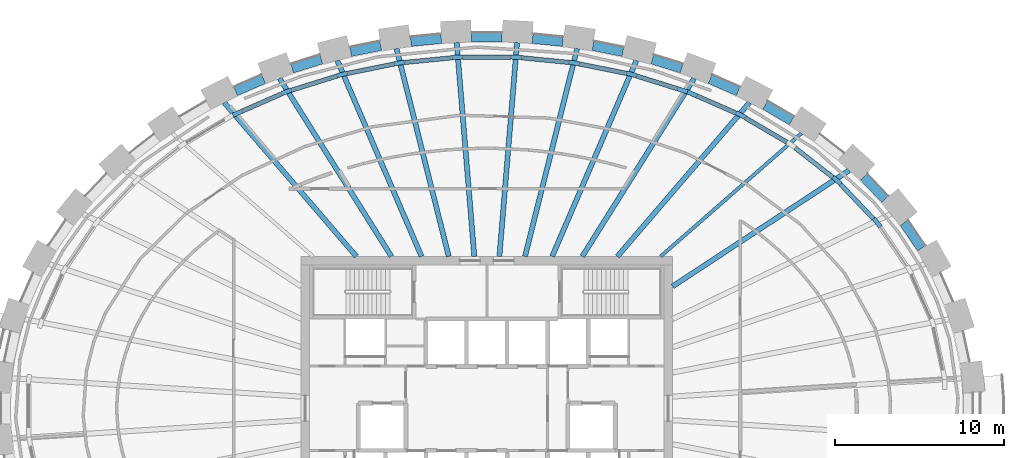
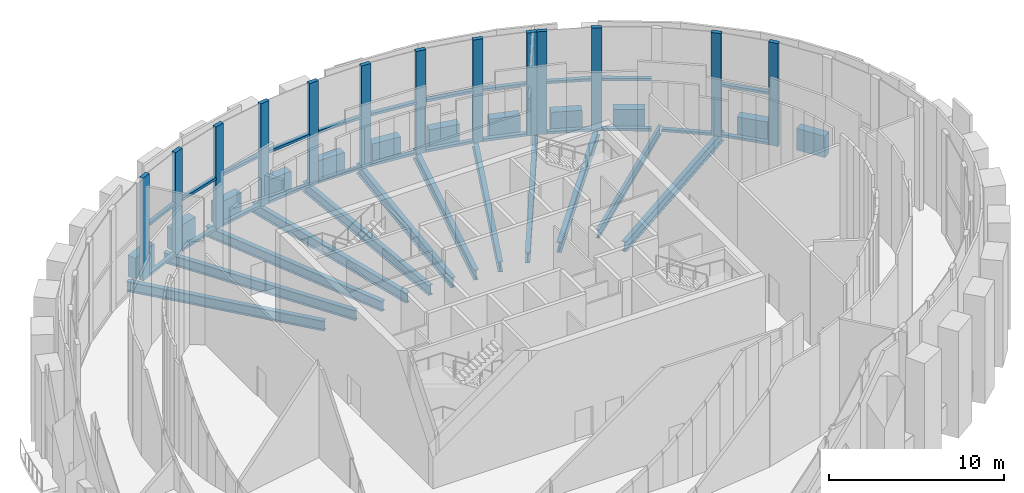
# One storey, part 4 of 16: 36 members, 24 beams, 2 elements without a shape of their own.
"""IFC4 building model written with IfcOpenShell, lengths in metres."""

from ifc_helpers import new_model, si_unit, direction, frame, origin, origin_2d, place, context, subcontext, project, spatial, rectangle, i_section, extrude, source, transform, mapped, material, material_profile, profile_set, type_object, element, aggregate, save


model = new_model("IFC4")

# Units and contexts
model_context = context("Model", 3, precision=1e-05, world=origin(), true_north=direction((0.0, 1.0)))
body_context = subcontext(model_context, "Body", "Model", "MODEL_VIEW")
ifc_project = project(units=[si_unit("LENGTHUNIT", "METRE"), si_unit("AREAUNIT", "SQUARE_METRE"), si_unit("VOLUMEUNIT", "CUBIC_METRE"), si_unit("PLANEANGLEUNIT", "RADIAN"), si_unit("MASSUNIT", "GRAM", prefix="KILO")], contexts=[model_context])

# Site, building, storey
site_placement = place(None, origin())
site = spatial("IfcSite", under=ifc_project, at=site_placement, CompositionType="ELEMENT")
building_placement = place(site_placement, origin())
building = spatial("IfcBuilding", under=site, at=building_placement, Name="Embergate Tower", CompositionType="ELEMENT")
storey_placement = place(building_placement, frame((0.0, 0.0, 332.5)))
storey = spatial("IfcBuildingStorey", under=building, at=storey_placement, Name="L78", CompositionType="ELEMENT", Elevation=332.5)

# Beams
ifc_material_1 = material(Name="Concrete C50", Category="concrete")
ifc_material_profile_1 = material_profile(ifc_material_1, rectangle(XDim=0.550048828125, YDim=1.5, at=origin_2d()), Name="RC 550x1500")
ifc_profile_set_1 = profile_set([ifc_material_profile_1], Name="Concrete C50")
beam_type_1 = type_object("IfcBeamType", Name="Spandrel beam RC 550x1500 C50", PredefinedType="BEAM", material=ifc_profile_set_1)
shared_shape_1 = source(origin(), body_context, "Body", "SweptSolid", [
    extrude(rectangle(XDim=0.550048828125, YDim=1.5, at=origin_2d()), origin(), (0.0, 0.0, 1.0), 1.8291015625),
])
beam_1_placement = place(storey_placement, frame((25.72998046875, 9.470947265625, 0.0), z_axis=(-0.562039839894, 0.827110160965, 0.0), x_axis=(-0.827110160965, -0.562039839894, 0.0)))
element("IfcBeam", 1, at=beam_1_placement, inside=storey, type_object=beam_type_1, Name="SPN-L78-02", PredefinedType="BEAM", context=body_context, shape_type="MappedRepresentation", body=[
    mapped(shared_shape_1, transform((0.0, 0.0, 0.0))),
])
shared_shape_2 = source(origin(), body_context, "Body", "SweptSolid", [
    extrude(rectangle(XDim=0.550048828125, YDim=1.5, at=origin_2d()), origin(), (0.0, 0.0, 1.0), 1.82421875),
])
beam_2_placement = place(storey_placement, frame((23.571044921875, 12.384033203125, 0.0), z_axis=(-0.690179663499, 0.723638053237, 0.0), x_axis=(-0.723638053237, -0.690179663499, 0.0)))
element("IfcBeam", 2, at=beam_2_placement, inside=storey, type_object=beam_type_1, Name="SPN-L78-03", PredefinedType="BEAM", context=body_context, shape_type="MappedRepresentation", body=[
    mapped(shared_shape_2, transform((0.0, 0.0, 0.0))),
])
shared_shape_3 = source(origin(), body_context, "Body", "SweptSolid", [
    extrude(rectangle(XDim=0.550048828125, YDim=1.5, at=origin_2d()), origin(), (0.0, 0.0, 1.0), 1.814453125),
])
beam_3_placement = place(storey_placement, frame((18.0419921875, 17.029052734375, 0.0), z_axis=(-0.861948050646, 0.5069966055, 0.0), x_axis=(-0.5069966055, -0.861948050646, 0.0)))
element("IfcBeam", 3, at=beam_3_placement, inside=storey, type_object=beam_type_1, Name="SPN-L78-05", PredefinedType="BEAM", context=body_context, shape_type="MappedRepresentation", body=[
    mapped(shared_shape_3, transform((0.0, 0.0, 0.0))),
])
shared_shape_4 = source(origin(), body_context, "Body", "SweptSolid", [
    extrude(rectangle(XDim=0.550048828125, YDim=1.5, at=origin_2d()), origin(), (0.0, 0.0, 1.0), 1.8125),
])
for number, where, z_axis, x_axis, name in (
    (4, (14.875, 18.76708984375, 0.0), (-0.916321098871, 0.400444307944, 0.0), (-0.400444307944, -0.916321098871, 0.0), "SPN-L78-06"),
    (5, (-13.214111328125, 19.492919921875, 0.0), (-0.916321098871, -0.400444307944, 0.0), (0.400444307944, -0.916321098871, 0.0), "SPN-L78-14"),
):
    element("IfcBeam", number, at=place(storey_placement, frame(where, z_axis=z_axis, x_axis=x_axis)), inside=storey, type_object=beam_type_1, Name=name, PredefinedType="BEAM", context=body_context, shape_type="MappedRepresentation", body=[
        mapped(shared_shape_4, transform((0.0, 0.0, 0.0))),
    ])
shared_shape_5 = source(origin(), body_context, "Body", "SweptSolid", [
    extrude(rectangle(XDim=0.550048828125, YDim=1.5, at=origin_2d()), origin(), (0.0, 0.0, 1.0), 1.810791015625),
])
for number, where, z_axis, x_axis, name in (
    (6, (11.528076171875, 20.1220703125, 0.0), (-0.954867824345, 0.297031038835, 0.0), (-0.297031038835, -0.954867824345, 0.0), "SPN-L78-07"),
    (7, (-9.799072265625, 20.659912109375, 0.0), (-0.954867824345, -0.297031038835, 0.0), (0.297031038835, -0.954867824345, 0.0), "SPN-L78-13"),
):
    element("IfcBeam", number, at=place(storey_placement, frame(where, z_axis=z_axis, x_axis=x_axis)), inside=storey, type_object=beam_type_1, Name=name, PredefinedType="BEAM", context=body_context, shape_type="MappedRepresentation", body=[
        mapped(shared_shape_5, transform((0.0, 0.0, 0.0))),
    ])
shared_shape_6 = source(origin(), body_context, "Body", "SweptSolid", [
    extrude(rectangle(XDim=0.550048828125, YDim=1.5, at=origin_2d()), origin(), (0.0, 0.0, 1.0), 1.809326171875),
])
for number, where, z_axis, x_axis, name in (
    (8, (8.054931640625, 21.10498046875, 0.0), (-0.980455920219, 0.196738884074, 0.0), (-0.196738884074, -0.980455920219, 0.0), "SPN-L78-08"),
    (9, (-6.281005859375, 21.4609375, 0.0), (-0.980455920219, -0.196738884074, 0.0), (0.196738884074, -0.980455920219, 0.0), "SPN-L78-12"),
):
    element("IfcBeam", number, at=place(storey_placement, frame(where, z_axis=z_axis, x_axis=x_axis)), inside=storey, type_object=beam_type_1, Name=name, PredefinedType="BEAM", context=body_context, shape_type="MappedRepresentation", body=[
        mapped(shared_shape_6, transform((0.0, 0.0, 0.0))),
    ])
shared_shape_7 = source(origin(), body_context, "Body", "SweptSolid", [
    extrude(rectangle(XDim=0.550048828125, YDim=1.5, at=origin_2d()), origin(), (0.0, 0.0, 1.0), 1.806884765625),
])
for number, where, z_axis, x_axis, name in (
    (10, (4.498046875, 21.7060546875, 0.0), (-0.995189855055, 0.097965057015, 0.0), (-0.097965057015, -0.995189855055, 0.0), "SPN-L78-09"),
    (11, (-2.699951171875, 21.883056640625, 0.0), (-0.995189855055, -0.097965057015, 0.0), (0.097965057015, -0.995189855055, 0.0), "SPN-L78-11"),
):
    element("IfcBeam", number, at=place(storey_placement, frame(where, z_axis=z_axis, x_axis=x_axis)), inside=storey, type_object=beam_type_1, Name=name, PredefinedType="BEAM", context=body_context, shape_type="MappedRepresentation", body=[
        mapped(shared_shape_7, transform((0.0, 0.0, 0.0))),
    ])
shared_shape_8 = source(origin(), body_context, "Body", "SweptSolid", [
    extrude(rectangle(XDim=0.550048828125, YDim=1.5, at=origin_2d()), origin(), (0.0, 0.0, 1.0), 1.80615234375),
])
beam_4_placement = place(storey_placement, frame((0.903076171875, 21.971923828125, 0.0), z_axis=(-1.0, 0.0, 0.0), x_axis=(0.0, -1.0, 0.0)))
element("IfcBeam", 12, at=beam_4_placement, inside=storey, type_object=beam_type_1, Name="SPN-L78-10", PredefinedType="BEAM", context=body_context, shape_type="MappedRepresentation", body=[
    mapped(shared_shape_8, transform((0.0, 0.0, 0.0))),
])
ifc_material_2 = material(Name="Steel Q355B", Category="steel")
ifc_material_profile_2 = material_profile(ifc_material_2, i_section(OverallWidth=0.300048828125, OverallDepth=0.699951171875, WebThickness=0.012939453125, FlangeThickness=0.02392578125, FilletRadius=0.01806640625, at=origin_2d()), Name="HN 700x300x13x24")
ifc_profile_set_2 = profile_set([ifc_material_profile_2], Name="Steel Q355 grade B")
beam_type_2 = type_object("IfcBeamType", Name="Radial girder HN 700x300x13x24", PredefinedType="BEAM", material=ifc_profile_set_2)
shared_shape_9 = source(origin(), body_context, "Body", "SweptSolid", [
    extrude(i_section(OverallWidth=0.300048828125, OverallDepth=0.699951171875, WebThickness=0.012939453125, FlangeThickness=0.02392578125, FilletRadius=0.01806640625, at=origin_2d()), origin(), (0.0, 0.0, 1.0), 12.504638671875),
])
beam_5_placement = place(storey_placement, frame((21.450927734375, 14.093017578125, -0.60009765625), z_axis=(-0.835771014397, -0.549078146983, 0.0), x_axis=(0.549078146983, -0.835771014397, 0.0)))
element("IfcBeam", 13, at=beam_5_placement, inside=storey, type_object=beam_type_2, Name="GIR-L78-04", PredefinedType="BEAM", context=body_context, shape_type="MappedRepresentation", body=[
    mapped(shared_shape_9, transform((0.0, 0.0, 0.0))),
])
ifc_material_profile_3 = material_profile(ifc_material_2, i_section(OverallWidth=0.199951171875, OverallDepth=0.60009765625, WebThickness=0.010986328125, FlangeThickness=0.01708984375, FilletRadius=0.012939453125, at=origin_2d()), Name="HN 600x200x11x17")
ifc_profile_set_3 = profile_set([ifc_material_profile_3], Name="Steel Q355 grade B")
beam_type_3 = type_object("IfcBeamType", Name="Radial girder HN 600x200x11x17", PredefinedType="BEAM", material=ifc_profile_set_3)
shared_shape_10 = source(origin(), body_context, "Body", "SweptSolid", [
    extrude(i_section(OverallWidth=0.199951171875, OverallDepth=0.60009765625, WebThickness=0.010986328125, FlangeThickness=0.01708984375, FilletRadius=0.012939453125, at=origin_2d()), origin(), (0.0, 0.0, 1.0), 11.080322265625),
])
beam_6_placement = place(storey_placement, frame((18.632080078125, 16.2939453125, -0.550048828125), z_axis=(-0.752777301853, -0.658275272067, 0.0), x_axis=(0.658275272067, -0.752777301853, 0.0)))
element("IfcBeam", 14, at=beam_6_placement, inside=storey, type_object=beam_type_3, Name="GIR-L78-05", PredefinedType="BEAM", context=body_context, shape_type="MappedRepresentation", body=[
    mapped(shared_shape_10, transform((0.0, 0.0, 0.0))),
])
shared_shape_11 = source(origin(), body_context, "Body", "SweptSolid", [
    extrude(i_section(OverallWidth=0.300048828125, OverallDepth=0.699951171875, WebThickness=0.012939453125, FlangeThickness=0.02392578125, FilletRadius=0.01806640625, at=origin_2d()), origin(), (0.0, 0.0, 1.0), 12.003662109375),
])
for number, where, z_axis, x_axis, name in (
    (15, (15.549072265625, 18.10693359375, -0.60009765625), (-0.651469469768, -0.758674851277, 0.0), (0.758674851277, -0.651469469768, 0.0), "GIR-L78-06"),
    (16, (-15.549072265625, 18.10693359375, -0.60009765625), (0.651469469768, -0.758674851277, 0.0), (0.758674851277, 0.651469469768, 0.0), "GIR-L78-15"),
):
    element("IfcBeam", number, at=place(storey_placement, frame(where, z_axis=z_axis, x_axis=x_axis)), inside=storey, type_object=beam_type_2, Name=name, PredefinedType="BEAM", context=body_context, shape_type="MappedRepresentation", body=[
        mapped(shared_shape_11, transform((0.0, 0.0, 0.0))),
    ])
shared_shape_12 = source(origin(), body_context, "Body", "SweptSolid", [
    extrude(i_section(OverallWidth=0.300048828125, OverallDepth=0.699951171875, WebThickness=0.012939453125, FlangeThickness=0.02392578125, FilletRadius=0.01806640625, at=origin_2d()), origin(), (0.0, 0.0, 1.0), 12.446533203125),
])
for number, where, z_axis, x_axis, name in (
    (17, (12.27197265625, 19.5400390625, -0.60009765625), (-0.531866608286, -0.846828147259, 0.0), (0.846828147259, -0.531866608286, 0.0), "GIR-L78-07"),
    (18, (-12.27197265625, 19.5400390625, -0.60009765625), (0.531866608286, -0.846828147259, 0.0), (0.846828147259, 0.531866608286, 0.0), "GIR-L78-14"),
):
    element("IfcBeam", number, at=place(storey_placement, frame(where, z_axis=z_axis, x_axis=x_axis)), inside=storey, type_object=beam_type_2, Name=name, PredefinedType="BEAM", context=body_context, shape_type="MappedRepresentation", body=[
        mapped(shared_shape_12, transform((0.0, 0.0, 0.0))),
    ])
shared_shape_13 = source(origin(), body_context, "Body", "SweptSolid", [
    extrude(i_section(OverallWidth=0.300048828125, OverallDepth=0.699951171875, WebThickness=0.012939453125, FlangeThickness=0.02392578125, FilletRadius=0.01806640625, at=origin_2d()), origin(), (0.0, 0.0, 1.0), 12.629638671875),
])
for number, where, z_axis, x_axis, name in (
    (19, (8.85595703125, 20.60302734375, -0.60009765625), (-0.394943241903, -0.91870552174, 0.0), (0.91870552174, -0.394943241903, 0.0), "GIR-L78-08"),
    (20, (-8.85595703125, 20.60302734375, -0.60009765625), (0.394943241903, -0.91870552174, 0.0), (0.91870552174, 0.394943241903, 0.0), "GIR-L78-13"),
):
    element("IfcBeam", number, at=place(storey_placement, frame(where, z_axis=z_axis, x_axis=x_axis)), inside=storey, type_object=beam_type_2, Name=name, PredefinedType="BEAM", context=body_context, shape_type="MappedRepresentation", body=[
        mapped(shared_shape_13, transform((0.0, 0.0, 0.0))),
    ])
shared_shape_14 = source(origin(), body_context, "Body", "SweptSolid", [
    extrude(i_section(OverallWidth=0.300048828125, OverallDepth=0.699951171875, WebThickness=0.012939453125, FlangeThickness=0.02392578125, FilletRadius=0.01806640625, at=origin_2d()), origin(), (0.0, 0.0, 1.0), 12.687744140625),
])
for number, where, z_axis, x_axis, name in (
    (21, (5.347900390625, 21.305908203125, -0.60009765625), (-0.243454622931, -0.969912288083, 0.0), (0.969912288083, -0.243454622931, 0.0), "GIR-L78-09"),
    (22, (-5.347900390625, 21.305908203125, -0.60009765625), (0.243454622931, -0.969912288083, 0.0), (0.969912288083, 0.243454622931, 0.0), "GIR-L78-12"),
):
    element("IfcBeam", number, at=place(storey_placement, frame(where, z_axis=z_axis, x_axis=x_axis)), inside=storey, type_object=beam_type_2, Name=name, PredefinedType="BEAM", context=body_context, shape_type="MappedRepresentation", body=[
        mapped(shared_shape_14, transform((0.0, 0.0, 0.0))),
    ])
shared_shape_15 = source(origin(), body_context, "Body", "SweptSolid", [
    extrude(i_section(OverallWidth=0.300048828125, OverallDepth=0.699951171875, WebThickness=0.012939453125, FlangeThickness=0.02392578125, FilletRadius=0.01806640625, at=origin_2d()), origin(), (0.0, 0.0, 1.0), 12.699951171875),
])
for number, where, z_axis, x_axis, name in (
    (23, (1.7880859375, 21.656982421875, -0.60009765625), (-0.08229613459, -0.996607920012, 0.0), (0.996607920012, -0.08229613459, 0.0), "GIR-L78-10"),
    (24, (-1.7880859375, 21.656982421875, -0.60009765625), (0.08229613459, -0.996607920012, 0.0), (0.996607920012, 0.08229613459, 0.0), "GIR-L78-11"),
):
    element("IfcBeam", number, at=place(storey_placement, frame(where, z_axis=z_axis, x_axis=x_axis)), inside=storey, type_object=beam_type_2, Name=name, PredefinedType="BEAM", context=body_context, shape_type="MappedRepresentation", body=[
        mapped(shared_shape_15, transform((0.0, 0.0, 0.0))),
    ])

# Curtain wall, members
ifc_material_3 = material(Name="Aluminium and glass", Category="aluminium")
curtain_wall_type = type_object("IfcCurtainWallType", Name="Observation glazing", PredefinedType="NOTDEFINED", material=ifc_material_3)
curtain_wall_1_placement = place(storey_placement, origin())
curtain_wall_1 = element("IfcCurtainWall", 25, at=curtain_wall_1_placement, inside=storey, type_object=curtain_wall_type, Name="Observation glazing run 1", ObjectType="OBSERVATION GLAZING", PredefinedType="USERDEFINED")
ifc_material_4 = material(Name="Aluminium, thermally broken", Category="aluminium")
ifc_material_profile_4 = material_profile(ifc_material_4, rectangle(XDim=0.260009765625, YDim=0.60009765625, at=origin_2d()), Name="AL 600x260")
ifc_profile_set_4 = profile_set([ifc_material_profile_4], Name="Aluminium, thermally broken")
member_type_1 = type_object("IfcMemberType", Name="Observation mullion", PredefinedType="MULLION", material=ifc_profile_set_4)
shared_shape_16 = source(origin(), body_context, "Body", "SweptSolid", [
    extrude(rectangle(XDim=0.260009765625, YDim=0.60009765625, at=origin_2d()), origin(), (0.0, 0.0, 1.0), 7.199951171875),
])
member_1_placement = place(storey_placement, frame((23.10595703125, 11.0048828125, 0.0), z_axis=(0.0, 0.0, 1.0), x_axis=(-0.777844046666, -0.628457348645, 0.0)))
member_1 = element("IfcMember", 26, at=member_1_placement, type_object=member_type_1, Name="CW mullion 4", PredefinedType="MULLION", context=body_context, shape_type="MappedRepresentation", body=[
    mapped(shared_shape_16, transform((0.0, 0.0, 0.0))),
])
member_2_placement = place(storey_placement, frame((20.73388671875, 13.4921875, 0.0), z_axis=(0.0, 0.0, 1.0), x_axis=(-0.671200658962, -0.741275708093, 0.0)))
member_2 = element("IfcMember", 27, at=member_2_placement, type_object=member_type_1, Name="CW mullion 5", PredefinedType="MULLION", context=body_context, shape_type="MappedRepresentation", body=[
    mapped(shared_shape_16, transform((0.0, 0.0, 0.0))),
])
member_3_placement = place(storey_placement, frame((15.04296875, 17.36083984375, 0.0), z_axis=(0.0, 0.0, 1.0), x_axis=(-0.454494279444, -0.890749656162, 0.0)))
member_3 = element("IfcMember", 28, at=member_3_placement, type_object=member_type_1, Name="CW mullion 7", PredefinedType="MULLION", context=body_context, shape_type="MappedRepresentation", body=[
    mapped(shared_shape_16, transform((0.0, 0.0, 0.0))),
])
member_4_placement = place(storey_placement, frame((12.151123046875, 18.625244140625, 0.0), z_axis=(0.0, 0.0, 1.0), x_axis=(-0.400633698365, -0.916238309467, 0.0)))
member_4 = element("IfcMember", 29, at=member_4_placement, type_object=member_type_1, Name="CW mullion 8", PredefinedType="MULLION", context=body_context, shape_type="MappedRepresentation", body=[
    mapped(shared_shape_16, transform((0.0, 0.0, 0.0))),
])

curtain_wall_2_placement = place(storey_placement, origin())
curtain_wall_2 = element("IfcCurtainWall", 30, at=curtain_wall_2_placement, inside=storey, type_object=curtain_wall_type, Name="Observation glazing run 2", ObjectType="OBSERVATION GLAZING", PredefinedType="USERDEFINED")
member_5_placement = place(storey_placement, frame((11.58984375, 18.834716796875, 0.0), z_axis=(0.0, 0.0, 1.0), x_axis=(-0.29733488089, -0.954773255075, 0.0)))
member_5 = element("IfcMember", 31, at=member_5_placement, type_object=member_type_1, Name="CW mullion 1", PredefinedType="MULLION", context=body_context, shape_type="MappedRepresentation", body=[
    mapped(shared_shape_16, transform((0.0, 0.0, 0.0))),
])
member_6_placement = place(storey_placement, frame((8.572998046875, 19.774169921875, 0.0), z_axis=(0.0, 0.0, 1.0), x_axis=(-0.247303425799, -0.968938086561, 0.0)))
member_6 = element("IfcMember", 32, at=member_6_placement, type_object=member_type_1, Name="CW mullion 2", PredefinedType="MULLION", context=body_context, shape_type="MappedRepresentation", body=[
    mapped(shared_shape_16, transform((0.0, 0.0, 0.0))),
])
member_7_placement = place(storey_placement, frame((5.1787109375, 20.454833984375, 0.0), z_axis=(0.0, 0.0, 1.0), x_axis=(-0.147407204031, -0.98907589001, 0.0)))
member_7 = element("IfcMember", 33, at=member_7_placement, type_object=member_type_1, Name="CW mullion 3", PredefinedType="MULLION", context=body_context, shape_type="MappedRepresentation", body=[
    mapped(shared_shape_16, transform((0.0, 0.0, 0.0))),
])
member_8_placement = place(storey_placement, frame((1.73193359375, 20.793701171875, 0.0), z_axis=(0.0, 0.0, 1.0), x_axis=(-0.048970053385, -0.998800247232, 0.0)))
member_8 = element("IfcMember", 34, at=member_8_placement, type_object=member_type_1, Name="CW mullion 4", PredefinedType="MULLION", context=body_context, shape_type="MappedRepresentation", body=[
    mapped(shared_shape_16, transform((0.0, 0.0, 0.0))),
])
member_9_placement = place(storey_placement, frame((-1.73193359375, 20.793701171875, 0.0), z_axis=(0.0, 0.0, 1.0), x_axis=(0.048970053385, -0.998800247232, 0.0)))
member_9 = element("IfcMember", 35, at=member_9_placement, type_object=member_type_1, Name="CW mullion 5", PredefinedType="MULLION", context=body_context, shape_type="MappedRepresentation", body=[
    mapped(shared_shape_16, transform((0.0, 0.0, 0.0))),
])
member_10_placement = place(storey_placement, frame((-5.1787109375, 20.454833984375, 0.0), z_axis=(0.0, 0.0, 1.0), x_axis=(0.147407204031, -0.98907589001, 0.0)))
member_10 = element("IfcMember", 36, at=member_10_placement, type_object=member_type_1, Name="CW mullion 6", PredefinedType="MULLION", context=body_context, shape_type="MappedRepresentation", body=[
    mapped(shared_shape_16, transform((0.0, 0.0, 0.0))),
])
member_11_placement = place(storey_placement, frame((-8.572998046875, 19.774169921875, 0.0), z_axis=(0.0, 0.0, 1.0), x_axis=(0.247303425799, -0.968938086561, 0.0)))
member_11 = element("IfcMember", 37, at=member_11_placement, type_object=member_type_1, Name="CW mullion 7", PredefinedType="MULLION", context=body_context, shape_type="MappedRepresentation", body=[
    mapped(shared_shape_16, transform((0.0, 0.0, 0.0))),
])
member_12_placement = place(storey_placement, frame((-11.876220703125, 18.74560546875, 0.0), z_axis=(0.0, 0.0, 1.0), x_axis=(0.349489600731, -0.936940243015, 0.0)))
member_12 = element("IfcMember", 38, at=member_12_placement, type_object=member_type_1, Name="CW mullion 8", PredefinedType="MULLION", context=body_context, shape_type="MappedRepresentation", body=[
    mapped(shared_shape_16, transform((0.0, 0.0, 0.0))),
])
member_13_placement = place(storey_placement, frame((-14.76806640625, 17.48095703125, 0.0), z_axis=(0.0, 0.0, 1.0), x_axis=(0.400633698365, -0.916238309467, 0.0)))
member_13 = element("IfcMember", 39, at=member_13_placement, type_object=member_type_1, Name="CW mullion 9", PredefinedType="MULLION", context=body_context, shape_type="MappedRepresentation", body=[
    mapped(shared_shape_16, transform((0.0, 0.0, 0.0))),
])

# Member
ifc_material_profile_5 = material_profile(ifc_material_4, rectangle(XDim=0.260009765625, YDim=0.179931640625, at=origin_2d()), Name="AL 180x260")
ifc_profile_set_5 = profile_set([ifc_material_profile_5], Name="Aluminium, thermally broken")
member_type_2 = type_object("IfcMemberType", Name="Observation transom", PredefinedType="USERDEFINED", material=ifc_profile_set_5)
shared_shape_17 = source(origin(), body_context, "Body", "SweptSolid", [
    extrude(rectangle(XDim=0.260009765625, YDim=0.179931640625, at=origin_2d()), origin(), (0.0, 0.0, 1.0), 2.8369140625),
])
member_14_placement = place(storey_placement, frame((22.89892578125, 11.221923828125, 0.090087890625), z_axis=(-0.690170720754, 0.723646582396, 0.0), x_axis=(-0.723646582396, -0.690170720754, 0.0)))
member_14 = element("IfcMember", 40, at=member_14_placement, type_object=member_type_2, Name="CW transom 4.1", ObjectType="TRANSOM", PredefinedType="USERDEFINED", context=body_context, shape_type="MappedRepresentation", body=[
    mapped(shared_shape_17, transform((0.0, 0.0, 0.0))),
])

member_15_placement = place(storey_placement, frame((22.89892578125, 11.221923828125, 3.60009765625), z_axis=(-0.690170720754, 0.723646582396, 0.0), x_axis=(-0.723646582396, -0.690170720754, 0.0)))
member_15 = element("IfcMember", 41, at=member_15_placement, type_object=member_type_2, Name="CW transom 4.2", ObjectType="TRANSOM", PredefinedType="USERDEFINED", context=body_context, shape_type="MappedRepresentation", body=[
    mapped(shared_shape_17, transform((0.0, 0.0, 0.0))),
])

shared_shape_18 = source(origin(), body_context, "Body", "SweptSolid", [
    extrude(rectangle(XDim=0.260009765625, YDim=0.179931640625, at=origin_2d()), origin(), (0.0, 0.0, 1.0), 2.8447265625),
])
member_16_placement = place(storey_placement, frame((20.497314453125, 13.6767578125, 0.090087890625), z_axis=(-0.788339133471, 0.615240937063, 0.0), x_axis=(-0.615240937063, -0.788339133471, 0.0)))
member_16 = element("IfcMember", 42, at=member_16_placement, type_object=member_type_2, Name="CW transom 5.1", ObjectType="TRANSOM", PredefinedType="USERDEFINED", context=body_context, shape_type="MappedRepresentation", body=[
    mapped(shared_shape_18, transform((0.0, 0.0, 0.0))),
])

shared_shape_19 = source(origin(), body_context, "Body", "SweptSolid", [
    extrude(rectangle(XDim=0.260009765625, YDim=0.179931640625, at=origin_2d()), origin(), (0.0, 0.0, 1.0), 2.851318359375),
])
member_17_placement = place(storey_placement, frame((17.759521484375, 15.763671875, 0.090087890625), z_axis=(-0.862059652837, 0.506806822124, 0.0), x_axis=(-0.506806822124, -0.862059652837, 0.0)))
member_17 = element("IfcMember", 43, at=member_17_placement, type_object=member_type_2, Name="CW transom 6.1", ObjectType="TRANSOM", PredefinedType="USERDEFINED", context=body_context, shape_type="MappedRepresentation", body=[
    mapped(shared_shape_19, transform((0.0, 0.0, 0.0))),
])

member_18_placement = place(storey_placement, frame((17.759521484375, 15.763671875, 3.60009765625), z_axis=(-0.862059652837, 0.506806822124, 0.0), x_axis=(-0.506806822124, -0.862059652837, 0.0)))
member_18 = element("IfcMember", 44, at=member_18_placement, type_object=member_type_2, Name="CW transom 6.2", ObjectType="TRANSOM", PredefinedType="USERDEFINED", context=body_context, shape_type="MappedRepresentation", body=[
    mapped(shared_shape_19, transform((0.0, 0.0, 0.0))),
])

shared_shape_20 = source(origin(), body_context, "Body", "SweptSolid", [
    extrude(rectangle(XDim=0.260009765625, YDim=0.179931640625, at=origin_2d()), origin(), (0.0, 0.0, 1.0), 2.55615234375),
])
member_19_placement = place(storey_placement, frame((14.76806640625, 17.48095703125, 0.090087890625), z_axis=(-0.916225274593, 0.400663507445, 0.0), x_axis=(-0.400663507445, -0.916225274593, 0.0)))
member_19 = element("IfcMember", 45, at=member_19_placement, type_object=member_type_2, Name="CW transom 7.1", ObjectType="TRANSOM", PredefinedType="USERDEFINED", context=body_context, shape_type="MappedRepresentation", body=[
    mapped(shared_shape_20, transform((0.0, 0.0, 0.0))),
])

member_20_placement = place(storey_placement, frame((14.76806640625, 17.48095703125, 3.60009765625), z_axis=(-0.916225274593, 0.400663507445, 0.0), x_axis=(-0.400663507445, -0.916225274593, 0.0)))
member_20 = element("IfcMember", 46, at=member_20_placement, type_object=member_type_2, Name="CW transom 7.2", ObjectType="TRANSOM", PredefinedType="USERDEFINED", context=body_context, shape_type="MappedRepresentation", body=[
    mapped(shared_shape_20, transform((0.0, 0.0, 0.0))),
])

aggregate(curtain_wall_1, [member_1, member_2, member_3, member_4, member_14, member_15, member_16, member_17, member_18, member_19, member_20])

member_21_placement = place(storey_placement, frame((-12.151123046875, 18.625244140625, 0.090087890625), z_axis=(-0.916260333876, -0.40058332537, 0.0), x_axis=(0.40058332537, -0.916260333876, 0.0)))
member_21 = element("IfcMember", 47, at=member_21_placement, type_object=member_type_2, Name="CW transom 8.1", ObjectType="TRANSOM", PredefinedType="USERDEFINED", context=body_context, shape_type="MappedRepresentation", body=[
    mapped(shared_shape_20, transform((0.0, 0.0, 0.0))),
])

member_22_placement = place(storey_placement, frame((-12.151123046875, 18.625244140625, 3.60009765625), z_axis=(-0.916260333876, -0.40058332537, 0.0), x_axis=(0.40058332537, -0.916260333876, 0.0)))
member_22 = element("IfcMember", 48, at=member_22_placement, type_object=member_type_2, Name="CW transom 8.2", ObjectType="TRANSOM", PredefinedType="USERDEFINED", context=body_context, shape_type="MappedRepresentation", body=[
    mapped(shared_shape_20, transform((0.0, 0.0, 0.0))),
])

shared_shape_21 = source(origin(), body_context, "Body", "SweptSolid", [
    extrude(rectangle(XDim=0.260009765625, YDim=0.179931640625, at=origin_2d()), origin(), (0.0, 0.0, 1.0), 2.5595703125),
])
member_23_placement = place(storey_placement, frame((11.303466796875, 18.923828125, 0.090087890625), z_axis=(-0.954781590501, 0.297308113646, 0.0), x_axis=(-0.297308113646, -0.954781590501, 0.0)))
member_23 = element("IfcMember", 49, at=member_23_placement, type_object=member_type_2, Name="CW transom 1.1", ObjectType="TRANSOM", PredefinedType="USERDEFINED", context=body_context, shape_type="MappedRepresentation", body=[
    mapped(shared_shape_21, transform((0.0, 0.0, 0.0))),
])

member_24_placement = place(storey_placement, frame((11.303466796875, 18.923828125, 3.60009765625), z_axis=(-0.954781590501, 0.297308113646, 0.0), x_axis=(-0.297308113646, -0.954781590501, 0.0)))
member_24 = element("IfcMember", 50, at=member_24_placement, type_object=member_type_2, Name="CW transom 1.2", ObjectType="TRANSOM", PredefinedType="USERDEFINED", context=body_context, shape_type="MappedRepresentation", body=[
    mapped(shared_shape_21, transform((0.0, 0.0, 0.0))),
])

shared_shape_22 = source(origin(), body_context, "Body", "SweptSolid", [
    extrude(rectangle(XDim=0.260009765625, YDim=0.179931640625, at=origin_2d()), origin(), (0.0, 0.0, 1.0), 2.86181640625),
])
member_25_placement = place(storey_placement, frame((8.27880859375, 19.8330078125, 0.090087890625), z_axis=(-0.980459086203, 0.196723105611, 0.0), x_axis=(-0.196723105611, -0.980459086203, 0.0)))
member_25 = element("IfcMember", 51, at=member_25_placement, type_object=member_type_2, Name="CW transom 2.1", ObjectType="TRANSOM", PredefinedType="USERDEFINED", context=body_context, shape_type="MappedRepresentation", body=[
    mapped(shared_shape_22, transform((0.0, 0.0, 0.0))),
])

member_26_placement = place(storey_placement, frame((8.27880859375, 19.8330078125, 3.60009765625), z_axis=(-0.980459086203, 0.196723105611, 0.0), x_axis=(-0.196723105611, -0.980459086203, 0.0)))
member_26 = element("IfcMember", 52, at=member_26_placement, type_object=member_type_2, Name="CW transom 2.2", ObjectType="TRANSOM", PredefinedType="USERDEFINED", context=body_context, shape_type="MappedRepresentation", body=[
    mapped(shared_shape_22, transform((0.0, 0.0, 0.0))),
])

member_27_placement = place(storey_placement, frame((-5.472900390625, 20.39599609375, 0.090087890625), z_axis=(-0.980459086203, -0.196723105611, 0.0), x_axis=(0.196723105611, -0.980459086203, 0.0)))
member_27 = element("IfcMember", 53, at=member_27_placement, type_object=member_type_2, Name="CW transom 6.1", ObjectType="TRANSOM", PredefinedType="USERDEFINED", context=body_context, shape_type="MappedRepresentation", body=[
    mapped(shared_shape_22, transform((0.0, 0.0, 0.0))),
])

member_28_placement = place(storey_placement, frame((-5.472900390625, 20.39599609375, 3.60009765625), z_axis=(-0.980459086203, -0.196723105611, 0.0), x_axis=(0.196723105611, -0.980459086203, 0.0)))
member_28 = element("IfcMember", 54, at=member_28_placement, type_object=member_type_2, Name="CW transom 6.2", ObjectType="TRANSOM", PredefinedType="USERDEFINED", context=body_context, shape_type="MappedRepresentation", body=[
    mapped(shared_shape_22, transform((0.0, 0.0, 0.0))),
])

shared_shape_23 = source(origin(), body_context, "Body", "SweptSolid", [
    extrude(rectangle(XDim=0.260009765625, YDim=0.179931640625, at=origin_2d()), origin(), (0.0, 0.0, 1.0), 2.86328125),
])
member_29_placement = place(storey_placement, frame((4.880126953125, 20.484375, 0.090087890625), z_axis=(-0.995206257784, 0.097798284585, 0.0), x_axis=(-0.097798284585, -0.995206257784, 0.0)))
member_29 = element("IfcMember", 55, at=member_29_placement, type_object=member_type_2, Name="CW transom 3.1", ObjectType="TRANSOM", PredefinedType="USERDEFINED", context=body_context, shape_type="MappedRepresentation", body=[
    mapped(shared_shape_23, transform((0.0, 0.0, 0.0))),
])

member_30_placement = place(storey_placement, frame((4.880126953125, 20.484375, 3.60009765625), z_axis=(-0.995206257784, 0.097798284585, 0.0), x_axis=(-0.097798284585, -0.995206257784, 0.0)))
member_30 = element("IfcMember", 56, at=member_30_placement, type_object=member_type_2, Name="CW transom 3.2", ObjectType="TRANSOM", PredefinedType="USERDEFINED", context=body_context, shape_type="MappedRepresentation", body=[
    mapped(shared_shape_23, transform((0.0, 0.0, 0.0))),
])

member_31_placement = place(storey_placement, frame((-2.030517578125, 20.764404296875, 0.090087890625), z_axis=(-0.995206257784, -0.097798284585, 0.0), x_axis=(0.097798284585, -0.995206257784, 0.0)))
member_31 = element("IfcMember", 57, at=member_31_placement, type_object=member_type_2, Name="CW transom 5.1", ObjectType="TRANSOM", PredefinedType="USERDEFINED", context=body_context, shape_type="MappedRepresentation", body=[
    mapped(shared_shape_23, transform((0.0, 0.0, 0.0))),
])

member_32_placement = place(storey_placement, frame((-2.030517578125, 20.764404296875, 3.60009765625), z_axis=(-0.995206257784, -0.097798284585, 0.0), x_axis=(0.097798284585, -0.995206257784, 0.0)))
member_32 = element("IfcMember", 58, at=member_32_placement, type_object=member_type_2, Name="CW transom 5.2", ObjectType="TRANSOM", PredefinedType="USERDEFINED", context=body_context, shape_type="MappedRepresentation", body=[
    mapped(shared_shape_23, transform((0.0, 0.0, 0.0))),
])

shared_shape_24 = source(origin(), body_context, "Body", "SweptSolid", [
    extrude(rectangle(XDim=0.260009765625, YDim=0.179931640625, at=origin_2d()), origin(), (0.0, 0.0, 1.0), 2.86376953125),
])
member_33_placement = place(storey_placement, frame((1.431884765625, 20.793701171875, 0.090087890625), z_axis=(-1.0, 0.0, 0.0), x_axis=(0.0, -1.0, 0.0)))
member_33 = element("IfcMember", 59, at=member_33_placement, type_object=member_type_2, Name="CW transom 4.1", ObjectType="TRANSOM", PredefinedType="USERDEFINED", context=body_context, shape_type="MappedRepresentation", body=[
    mapped(shared_shape_24, transform((0.0, 0.0, 0.0))),
])

member_34_placement = place(storey_placement, frame((1.431884765625, 20.793701171875, 3.60009765625), z_axis=(-1.0, 0.0, 0.0), x_axis=(0.0, -1.0, 0.0)))
member_34 = element("IfcMember", 60, at=member_34_placement, type_object=member_type_2, Name="CW transom 4.2", ObjectType="TRANSOM", PredefinedType="USERDEFINED", context=body_context, shape_type="MappedRepresentation", body=[
    mapped(shared_shape_24, transform((0.0, 0.0, 0.0))),
])

shared_shape_25 = source(origin(), body_context, "Body", "SweptSolid", [
    extrude(rectangle(XDim=0.260009765625, YDim=0.179931640625, at=origin_2d()), origin(), (0.0, 0.0, 1.0), 2.859619140625),
])
member_35_placement = place(storey_placement, frame((-8.859619140625, 19.684814453125, 0.090087890625), z_axis=(-0.95478786354, -0.297287967526, 0.0), x_axis=(0.297287967526, -0.95478786354, 0.0)))
member_35 = element("IfcMember", 61, at=member_35_placement, type_object=member_type_2, Name="CW transom 7.1", ObjectType="TRANSOM", PredefinedType="USERDEFINED", context=body_context, shape_type="MappedRepresentation", body=[
    mapped(shared_shape_25, transform((0.0, 0.0, 0.0))),
])

member_36_placement = place(storey_placement, frame((-8.859619140625, 19.684814453125, 3.60009765625), z_axis=(-0.95478786354, -0.297287967526, 0.0), x_axis=(0.297287967526, -0.95478786354, 0.0)))
member_36 = element("IfcMember", 62, at=member_36_placement, type_object=member_type_2, Name="CW transom 7.2", ObjectType="TRANSOM", PredefinedType="USERDEFINED", context=body_context, shape_type="MappedRepresentation", body=[
    mapped(shared_shape_25, transform((0.0, 0.0, 0.0))),
])

aggregate(curtain_wall_2, [member_5, member_6, member_7, member_8, member_9, member_10, member_11, member_12, member_13, member_23, member_24, member_25, member_26, member_29, member_30, member_33, member_34, member_31, member_32, member_27, member_28, member_35, member_36, member_21, member_22])

save(model, "model.ifc")
